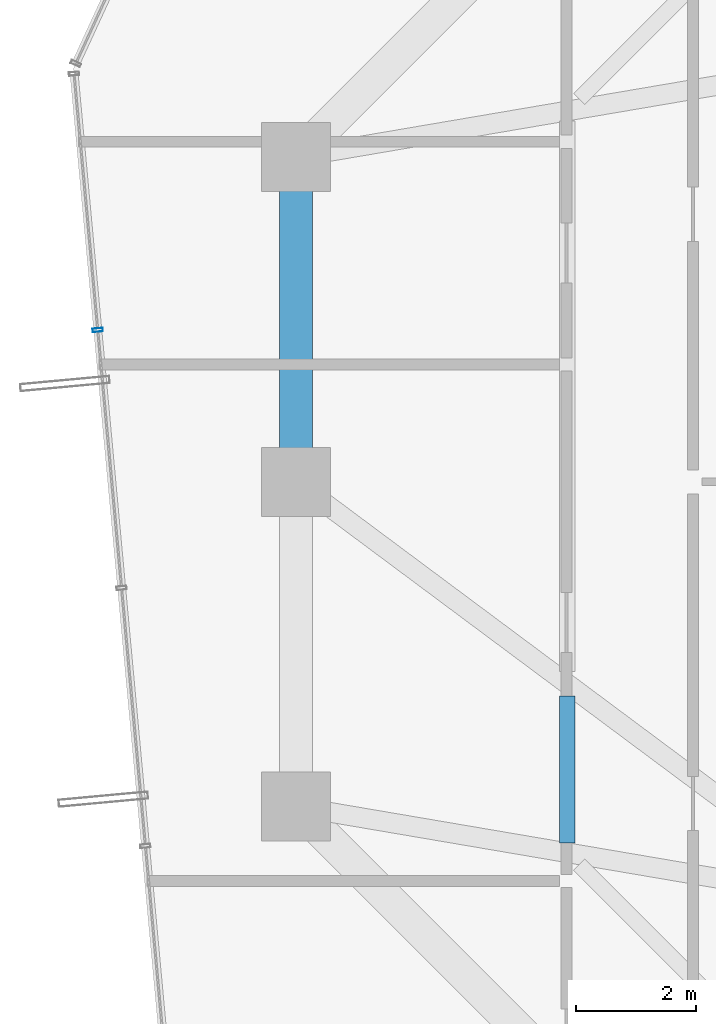
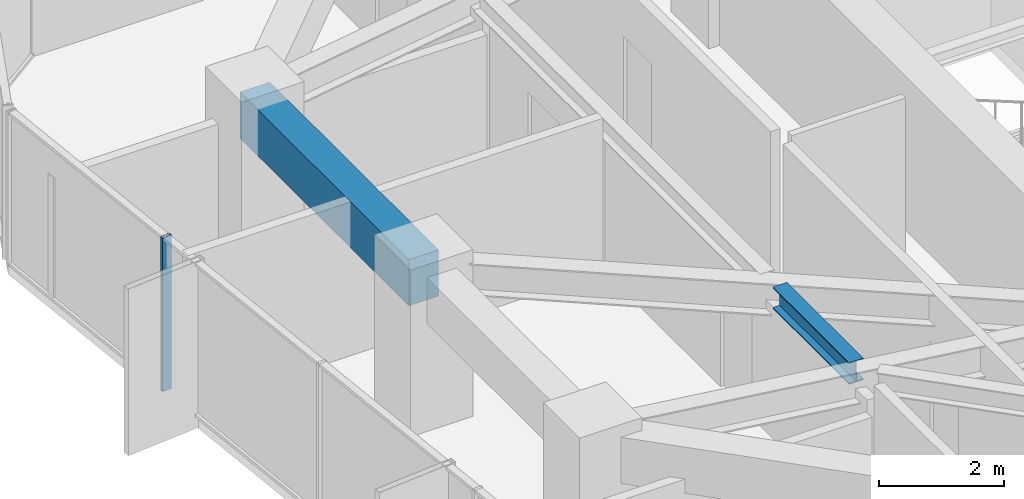
# One storey, part 11 of 33: 2 beams, 1 member, 1 element without a shape of its own.
"""IFC4 building model written with IfcOpenShell, lengths in metres."""

from ifc_helpers import new_model, si_unit, direction, frame, origin, origin_2d, place, context, subcontext, project, spatial, rectangle, hollow_rectangle, i_section, extrude, source, transform, mapped, material, layer, layer_set, material_profile, profile_set, type_object, element, aggregate, save


model = new_model("IFC4")

# Units and contexts
model_context = context("Model", 3, precision=1e-05, world=origin(), true_north=direction((0.0, 1.0)))
body_context = subcontext(model_context, "Body", "Model", "MODEL_VIEW")
ifc_project = project(units=[si_unit("LENGTHUNIT", "METRE"), si_unit("AREAUNIT", "SQUARE_METRE"), si_unit("VOLUMEUNIT", "CUBIC_METRE"), si_unit("PLANEANGLEUNIT", "RADIAN"), si_unit("MASSUNIT", "GRAM", prefix="KILO")], contexts=[model_context])

# Site, building, storey
site_placement = place(None, origin())
site = spatial("IfcSite", under=ifc_project, at=site_placement, CompositionType="ELEMENT")
building_placement = place(site_placement, origin())
building = spatial("IfcBuilding", under=site, at=building_placement, Name="Veraguas Prism Commons", CompositionType="ELEMENT")
storey_placement = place(building_placement, frame((0.0, 0.0, 145.75)))
storey = spatial("IfcBuildingStorey", under=building, at=storey_placement, Name="L41", CompositionType="ELEMENT", Elevation=145.75)

# Beams
ifc_material_1 = material(Name="Steel ASTM A992 Grade 50", Category="steel")
ifc_material_profile_1 = material_profile(ifc_material_1, i_section(OverallWidth=0.260986328125, OverallDepth=0.419921875, WebThickness=0.01171875, FlangeThickness=0.019287109375, at=origin_2d()), Name="W410X114")
ifc_profile_set_1 = profile_set([ifc_material_profile_1], Name="Steel ASTM A992 Grade 50")
beam_type_1 = type_object("IfcBeamType", Name="Lower Floor Joist W410x114", PredefinedType="JOIST", material=ifc_profile_set_1)
beam_1_placement = place(storey_placement, frame((12.31201171875, 20.43798828125, 2.7900390625), z_axis=(0.0, -1.0, 0.0), x_axis=(1.0, 0.0, 0.0)))
element("IfcBeam", 1, at=beam_1_placement, inside=storey, type_object=beam_type_1, Name="Composite Floor Joist L41-JS08", PredefinedType="JOIST", context=body_context, shape_type="SweptSolid", body=[
    extrude(i_section(OverallWidth=0.260986328125, OverallDepth=0.419921875, WebThickness=0.01171875, FlangeThickness=0.019287109375, at=origin_2d()), origin(), (0.0, 0.0, 1.0), 2.441650390625),
])
ifc_material_2 = material(Name="Concrete C50/60", Category="concrete")
ifc_material_profile_2 = material_profile(ifc_material_2, rectangle(XDim=0.550048828125, YDim=0.89990234375, at=origin_2d()), Name="RC550X900")
ifc_profile_set_2 = profile_set([ifc_material_profile_2], Name="Concrete C50/60")
beam_type_2 = type_object("IfcBeamType", Name="Perimeter Spandrel Lower RC 550x900", PredefinedType="SPANDREL", material=ifc_profile_set_2)
beam_2_placement = place(storey_placement, frame((7.800048828125, 29.39990234375, 2.550048828125), z_axis=(0.0, -1.0, 0.0), x_axis=(1.0, 0.0, 0.0)))
element("IfcBeam", 2, at=beam_2_placement, inside=storey, type_object=beam_type_2, Name="Perimeter Spandrel Beam L41-SP07", PredefinedType="SPANDREL", context=body_context, shape_type="SweptSolid", body=[
    extrude(rectangle(XDim=0.550048828125, YDim=0.89990234375, at=origin_2d()), origin(), (0.0, 0.0, 1.0), 5.39990234375),
])

# Curtain wall, member
ifc_material_3 = material(Name="Anodised aluminium EN AW-6063 T6", Category="aluminium")
ifc_layer = layer(ifc_material_3, 0.169921875, Name="Unitised Flush Curtain Wall Zone 2", Category="aluminium")
ifc_layer_set = layer_set([ifc_layer], Name="Anodised aluminium EN AW-6063 T6")
curtain_wall_type = type_object("IfcCurtainWallType", Name="Unitised Flush Curtain Wall Zone 2", PredefinedType="NOTDEFINED", material=ifc_layer_set)
curtain_wall_placement = place(storey_placement, origin())
curtain_wall = element("IfcCurtainWall", 3, at=curtain_wall_placement, inside=storey, type_object=curtain_wall_type, Name="Tower Facade Curtain Wall L41-F3", PredefinedType="NOTDEFINED")
ifc_material_profile_3 = material_profile(ifc_material_3, hollow_rectangle(XDim=0.06005859375, YDim=0.169921875, WallThickness=0.00390625, at=origin_2d()), Name="AL60X170X4")
ifc_profile_set_3 = profile_set([ifc_material_profile_3], Name="Anodised aluminium EN AW-6063 T6")
member_type = type_object("IfcMemberType", Name="Curtain Wall Mullion Lower AL 60x170x4", PredefinedType="MULLION", material=ifc_profile_set_3)
shared_shape = source(origin(), body_context, "Body", "SweptSolid", [
    extrude(hollow_rectangle(XDim=0.06005859375, YDim=0.169921875, WallThickness=0.00390625, at=origin_2d()), origin(), (0.0, 0.0, 1.0), 3.0),
])
member_placement = place(storey_placement, frame((4.50244140625, 26.525146484375, 0.0), z_axis=(0.0, 0.0, 1.0), x_axis=(0.092024746261, -0.995756720327, 0.0)))
member = element("IfcMember", 4, at=member_placement, type_object=member_type, Name="CW-Z2 Mullion 2", PredefinedType="MULLION", context=body_context, shape_type="MappedRepresentation", body=[
    mapped(shared_shape, transform((0.0, 0.0, 0.0), scale=1.0)),
])
aggregate(curtain_wall, [member])

save(model, "model.ifc")
